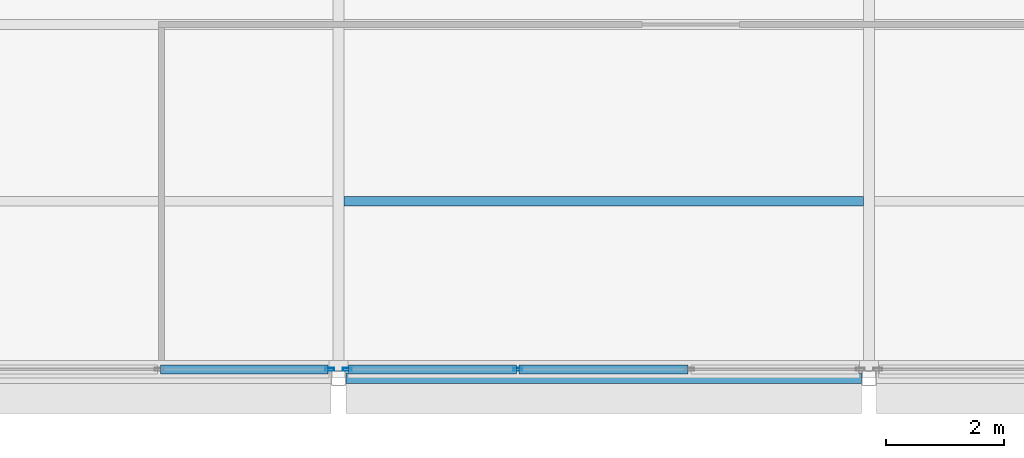
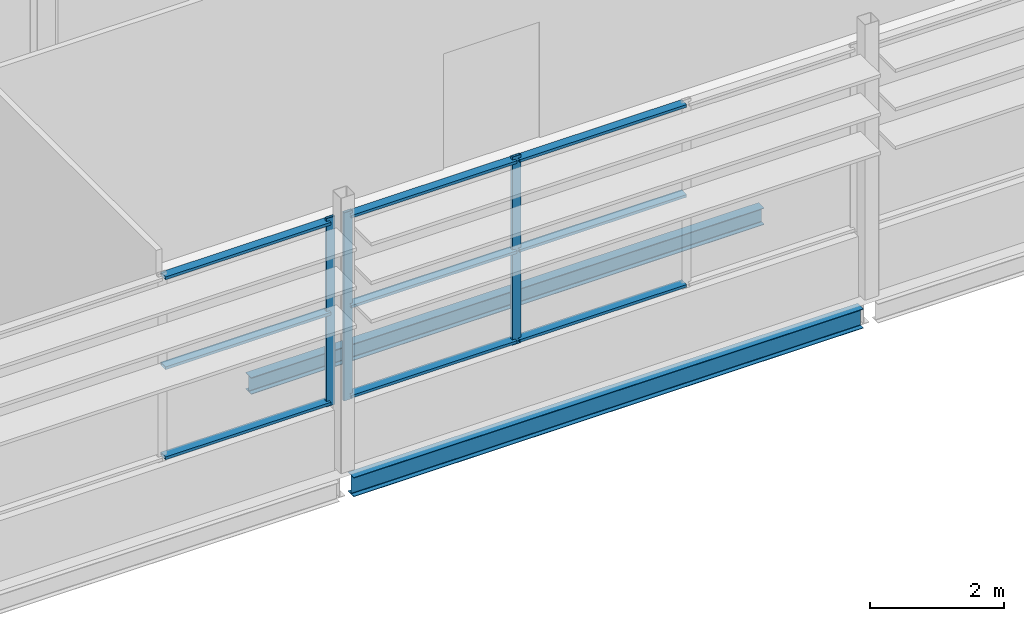
# One storey, part 12 of 61: 12 members, 2 beams, 2 elements without a shape of their own.
"""IFC4 building model written with IfcOpenShell, lengths in metres."""

from ifc_helpers import new_model, si_unit, direction, frame, origin, origin_2d, place, context, subcontext, project, spatial, hollow_rectangle, i_section, extrude, material, layer, layer_set, material_profile, profile_set, type_object, element, aggregate, save


model = new_model("IFC4")

# Units and contexts
model_context = context("Model", 3, precision=1e-05, world=origin(), true_north=direction((0.0, 1.0)))
body_context = subcontext(model_context, "Body", "Model", "MODEL_VIEW")
ifc_project = project(units=[si_unit("LENGTHUNIT", "METRE"), si_unit("AREAUNIT", "SQUARE_METRE"), si_unit("VOLUMEUNIT", "CUBIC_METRE"), si_unit("PLANEANGLEUNIT", "RADIAN"), si_unit("MASSUNIT", "GRAM", prefix="KILO")], contexts=[model_context])

# Site, building, storey
site_placement = place(None, origin())
site = spatial("IfcSite", under=ifc_project, at=site_placement, CompositionType="ELEMENT")
building_placement = place(site_placement, origin())
building = spatial("IfcBuilding", under=site, at=building_placement, Name="Shorebreak Coast Museum", CompositionType="ELEMENT")
storey_placement = place(building_placement, frame((0.0, 0.0, 26.0)))
storey = spatial("IfcBuildingStorey", under=building, at=storey_placement, Name="L04", CompositionType="ELEMENT", Elevation=26.0)

# Beams
ifc_material_1 = material(Name="Steel Grade 300", Category="steel")
ifc_material_profile_1 = material_profile(ifc_material_1, i_section(OverallWidth=0.1708984375, OverallDepth=0.35205078125, WebThickness=0.0068359375, FlangeThickness=0.009765625, FilletRadius=0.011474609375, at=origin_2d()), Name="360UB44.7")
ifc_profile_set_1 = profile_set([ifc_material_profile_1], Name="Steel Grade 300")
beam_type_1 = type_object("IfcBeamType", Name="Floor girder east-west 360UB44.7", PredefinedType="BEAM", material=ifc_profile_set_1)
beam_1_placement = place(storey_placement, frame((72.125, 54.0, -0.35107421875), z_axis=(1.0, 0.0, 0.0), x_axis=(0.0, 1.0, 0.0)))
element("IfcBeam", 1, at=beam_1_placement, inside=storey, type_object=beam_type_1, Name="Floor girder east-west L04 9G", PredefinedType="BEAM", context=body_context, shape_type="SweptSolid", body=[
    extrude(i_section(OverallWidth=0.1708984375, OverallDepth=0.35205078125, WebThickness=0.0068359375, FlangeThickness=0.009765625, FilletRadius=0.011474609375, at=origin_2d()), origin(), (0.0, 0.0, 1.0), 8.75),
])
ifc_material_2 = material(Name="Steel Grade 300", Category="steel")
ifc_material_profile_2 = material_profile(ifc_material_2, i_section(OverallWidth=0.1650390625, OverallDepth=0.303955078125, WebThickness=0.006103515625, FlangeThickness=0.01025390625, FilletRadius=0.011474609375, at=origin_2d()), Name="310UB40.4")
ifc_profile_set_2 = profile_set([ifc_material_profile_2], Name="Steel Grade 300")
beam_type_2 = type_object("IfcBeamType", Name="Floor joist 310UB40.4", PredefinedType="JOIST", material=ifc_profile_set_2)
beam_2_placement = place(storey_placement, frame((72.094970703125, 57.0, -0.326904296875), z_axis=(1.0, 0.0, 0.0), x_axis=(0.0, 1.0, 0.0)))
element("IfcBeam", 2, at=beam_2_placement, inside=storey, type_object=beam_type_2, Name="Floor joist L04 bay 9G at 3000 mm", PredefinedType="JOIST", context=body_context, shape_type="SweptSolid", body=[
    extrude(i_section(OverallWidth=0.1650390625, OverallDepth=0.303955078125, WebThickness=0.006103515625, FlangeThickness=0.01025390625, FilletRadius=0.011474609375, at=origin_2d()), origin(), (0.0, 0.0, 1.0), 8.81005859375),
])

# Curtain wall, member
ifc_material_3 = material(Name="Aluminium", Category="aluminium")
ifc_layer = layer(ifc_material_3, 0.14990234375)
ifc_layer_set = layer_set([ifc_layer], Name="Aluminium")
curtain_wall_type = type_object("IfcCurtainWallType", Name="Storefront curtain wall", PredefinedType="NOTDEFINED", material=ifc_layer_set)
curtain_wall_1_placement = place(storey_placement, origin())
curtain_wall_1 = element("IfcCurtainWall", 3, at=curtain_wall_1_placement, inside=storey, type_object=curtain_wall_type, Name="Atrium Hall glazing L04 S 4", PredefinedType="NOTDEFINED")
ifc_material_4 = material(Name="Aluminium", Category="aluminium")
ifc_material_profile_3 = material_profile(ifc_material_4, hollow_rectangle(XDim=0.050048828125, YDim=0.14990234375, WallThickness=0.00390625, at=origin_2d()), Name="AL 150x50 RHS")
ifc_profile_set_3 = profile_set([ifc_material_profile_3], Name="Aluminium")
member_type_1 = type_object("IfcMemberType", Name="Storefront mullion 50 x 150", PredefinedType="MULLION", material=ifc_profile_set_3)
member_1_placement = place(storey_placement, frame((71.85009765625, 54.14990234375, 1.10009765625), z_axis=(0.0, 0.0, 1.0), x_axis=(0.0, 1.0, 0.0)))
member_1 = element("IfcMember", 4, at=member_1_placement, type_object=member_type_1, Name="CW5 mullion 4", PredefinedType="MULLION", context=body_context, shape_type="SweptSolid", body=[
    extrude(hollow_rectangle(XDim=0.050048828125, YDim=0.14990234375, WallThickness=0.00390625, at=origin_2d()), origin(), (0.0, 0.0, 1.0), 3.417724609375),
])

# Curtain wall, members
curtain_wall_2_placement = place(storey_placement, origin())
curtain_wall_2 = element("IfcCurtainWall", 5, at=curtain_wall_2_placement, inside=storey, type_object=curtain_wall_type, Name="Atrium Hall glazing L04 S 5", PredefinedType="NOTDEFINED")
member_2_placement = place(storey_placement, frame((72.14990234375, 54.14990234375, 1.10009765625), z_axis=(0.0, 0.0, 1.0), x_axis=(0.0, 1.0, 0.0)))
member_2 = element("IfcMember", 6, at=member_2_placement, type_object=member_type_1, Name="CW5 mullion 1", PredefinedType="MULLION", context=body_context, shape_type="SweptSolid", body=[
    extrude(hollow_rectangle(XDim=0.050048828125, YDim=0.14990234375, WallThickness=0.00390625, at=origin_2d()), origin(), (0.0, 0.0, 1.0), 3.417724609375),
])
member_3_placement = place(storey_placement, frame((75.041748046875, 54.14990234375, 1.10009765625), z_axis=(0.0, 0.0, 1.0), x_axis=(0.0, 1.0, 0.0)))
member_3 = element("IfcMember", 7, at=member_3_placement, type_object=member_type_1, Name="CW5 mullion 2", PredefinedType="MULLION", context=body_context, shape_type="SweptSolid", body=[
    extrude(hollow_rectangle(XDim=0.050048828125, YDim=0.14990234375, WallThickness=0.00390625, at=origin_2d()), origin(), (0.0, 0.0, 1.0), 3.417724609375),
])

# Member
ifc_material_5 = material(Name="Aluminium", Category="aluminium")
ifc_material_profile_4 = material_profile(ifc_material_5, hollow_rectangle(XDim=0.14990234375, YDim=0.050048828125, WallThickness=0.00390625, at=origin_2d()), Name="AL 50x150 RHS")
ifc_profile_set_4 = profile_set([ifc_material_profile_4], Name="Aluminium")
member_type_2 = type_object("IfcMemberType", Name="Storefront transom 150 x 50", PredefinedType="USERDEFINED", material=ifc_profile_set_4)
member_4_placement = place(storey_placement, frame((68.9833984375, 54.14990234375, 1.175048828125), z_axis=(1.0, 0.0, 0.0), x_axis=(0.0, 1.0, 0.0)))
member_4 = element("IfcMember", 8, at=member_4_placement, type_object=member_type_2, Name="CW5 transom 3.1", ObjectType="TRANSOM", PredefinedType="USERDEFINED", context=body_context, shape_type="SweptSolid", body=[
    extrude(hollow_rectangle(XDim=0.14990234375, YDim=0.050048828125, WallThickness=0.00390625, at=origin_2d()), origin(), (0.0, 0.0, 1.0), 2.841552734375),
])

member_5_placement = place(storey_placement, frame((68.9833984375, 54.14990234375, 2.808837890625), z_axis=(1.0, 0.0, 0.0), x_axis=(0.0, 1.0, 0.0)))
member_5 = element("IfcMember", 9, at=member_5_placement, type_object=member_type_2, Name="CW5 transom 3.2", ObjectType="TRANSOM", PredefinedType="USERDEFINED", context=body_context, shape_type="SweptSolid", body=[
    extrude(hollow_rectangle(XDim=0.14990234375, YDim=0.050048828125, WallThickness=0.00390625, at=origin_2d()), origin(), (0.0, 0.0, 1.0), 2.841552734375),
])

member_6_placement = place(storey_placement, frame((68.9833984375, 54.14990234375, 4.44287109375), z_axis=(1.0, 0.0, 0.0), x_axis=(0.0, 1.0, 0.0)))
member_6 = element("IfcMember", 10, at=member_6_placement, type_object=member_type_2, Name="CW5 transom 3.3", ObjectType="TRANSOM", PredefinedType="USERDEFINED", context=body_context, shape_type="SweptSolid", body=[
    extrude(hollow_rectangle(XDim=0.14990234375, YDim=0.050048828125, WallThickness=0.00390625, at=origin_2d()), origin(), (0.0, 0.0, 1.0), 2.841552734375),
])

aggregate(curtain_wall_1, [member_1, member_4, member_5, member_6])

member_7_placement = place(storey_placement, frame((72.175048828125, 54.14990234375, 1.175048828125), z_axis=(1.0, 0.0, 0.0), x_axis=(0.0, 1.0, 0.0)))
member_7 = element("IfcMember", 11, at=member_7_placement, type_object=member_type_2, Name="CW5 transom 1.1", ObjectType="TRANSOM", PredefinedType="USERDEFINED", context=body_context, shape_type="SweptSolid", body=[
    extrude(hollow_rectangle(XDim=0.14990234375, YDim=0.050048828125, WallThickness=0.00390625, at=origin_2d()), origin(), (0.0, 0.0, 1.0), 2.841552734375),
])

member_8_placement = place(storey_placement, frame((72.175048828125, 54.14990234375, 2.808837890625), z_axis=(1.0, 0.0, 0.0), x_axis=(0.0, 1.0, 0.0)))
member_8 = element("IfcMember", 12, at=member_8_placement, type_object=member_type_2, Name="CW5 transom 1.2", ObjectType="TRANSOM", PredefinedType="USERDEFINED", context=body_context, shape_type="SweptSolid", body=[
    extrude(hollow_rectangle(XDim=0.14990234375, YDim=0.050048828125, WallThickness=0.00390625, at=origin_2d()), origin(), (0.0, 0.0, 1.0), 2.841552734375),
])

member_9_placement = place(storey_placement, frame((72.175048828125, 54.14990234375, 4.44287109375), z_axis=(1.0, 0.0, 0.0), x_axis=(0.0, 1.0, 0.0)))
member_9 = element("IfcMember", 13, at=member_9_placement, type_object=member_type_2, Name="CW5 transom 1.3", ObjectType="TRANSOM", PredefinedType="USERDEFINED", context=body_context, shape_type="SweptSolid", body=[
    extrude(hollow_rectangle(XDim=0.14990234375, YDim=0.050048828125, WallThickness=0.00390625, at=origin_2d()), origin(), (0.0, 0.0, 1.0), 2.841552734375),
])

member_10_placement = place(storey_placement, frame((75.066650390625, 54.14990234375, 1.175048828125), z_axis=(1.0, 0.0, 0.0), x_axis=(0.0, 1.0, 0.0)))
member_10 = element("IfcMember", 14, at=member_10_placement, type_object=member_type_2, Name="CW5 transom 2.1", ObjectType="TRANSOM", PredefinedType="USERDEFINED", context=body_context, shape_type="SweptSolid", body=[
    extrude(hollow_rectangle(XDim=0.14990234375, YDim=0.050048828125, WallThickness=0.00390625, at=origin_2d()), origin(), (0.0, 0.0, 1.0), 2.86669921875),
])

member_11_placement = place(storey_placement, frame((75.066650390625, 54.14990234375, 2.808837890625), z_axis=(1.0, 0.0, 0.0), x_axis=(0.0, 1.0, 0.0)))
member_11 = element("IfcMember", 15, at=member_11_placement, type_object=member_type_2, Name="CW5 transom 2.2", ObjectType="TRANSOM", PredefinedType="USERDEFINED", context=body_context, shape_type="SweptSolid", body=[
    extrude(hollow_rectangle(XDim=0.14990234375, YDim=0.050048828125, WallThickness=0.00390625, at=origin_2d()), origin(), (0.0, 0.0, 1.0), 2.86669921875),
])

member_12_placement = place(storey_placement, frame((75.066650390625, 54.14990234375, 4.44287109375), z_axis=(1.0, 0.0, 0.0), x_axis=(0.0, 1.0, 0.0)))
member_12 = element("IfcMember", 16, at=member_12_placement, type_object=member_type_2, Name="CW5 transom 2.3", ObjectType="TRANSOM", PredefinedType="USERDEFINED", context=body_context, shape_type="SweptSolid", body=[
    extrude(hollow_rectangle(XDim=0.14990234375, YDim=0.050048828125, WallThickness=0.00390625, at=origin_2d()), origin(), (0.0, 0.0, 1.0), 2.86669921875),
])

aggregate(curtain_wall_2, [member_2, member_3, member_7, member_8, member_9, member_10, member_11, member_12])

save(model, "model.ifc")
